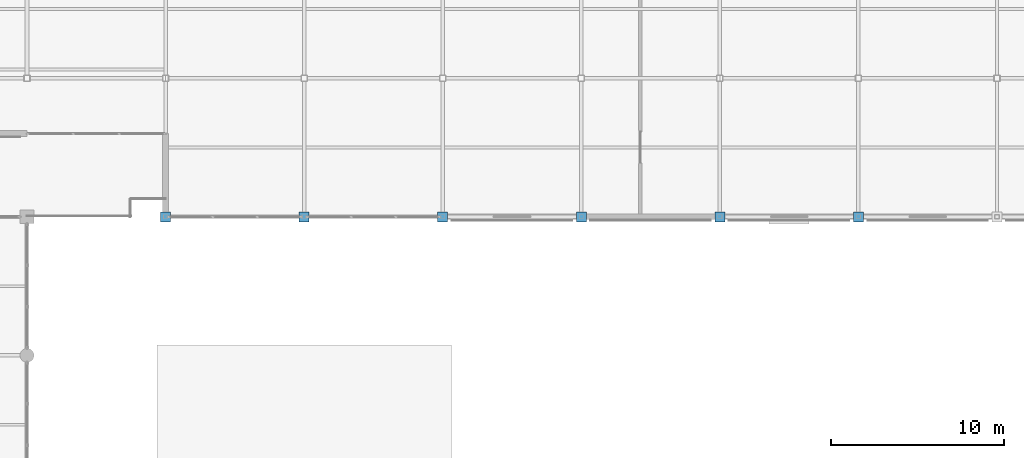
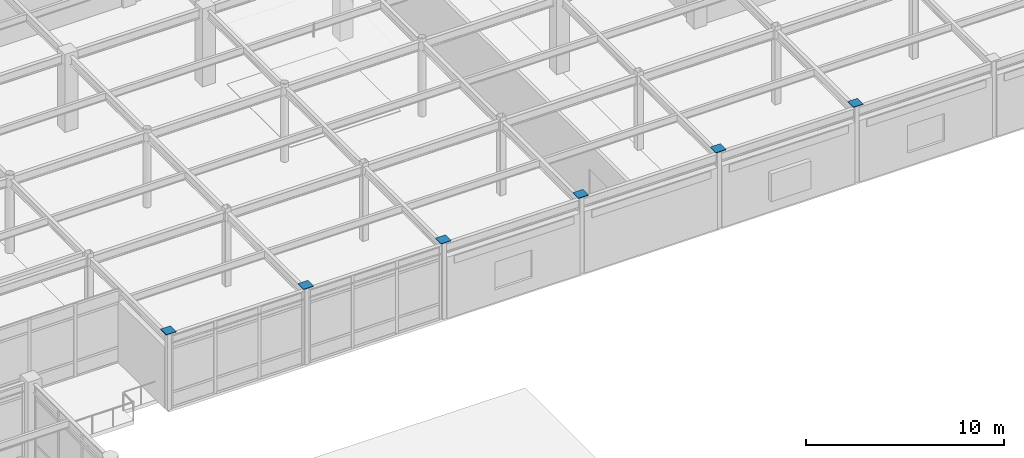
# One storey, part 102 of 117: 6 discrete accessories.
"""IFC4 building model written with IfcOpenShell, lengths in metres."""

from ifc_helpers import new_model, si_unit, direction, frame, origin, origin_2d, place, context, subcontext, project, spatial, rectangle, extrude, material, layer, layer_set, type_object, element, save


model = new_model("IFC4")

# Units and contexts
model_context = context("Model", 3, precision=1e-05, world=origin(), true_north=direction((0.0, 1.0)))
body_context = subcontext(model_context, "Body", "Model", "MODEL_VIEW")
ifc_project = project(units=[si_unit("LENGTHUNIT", "METRE"), si_unit("AREAUNIT", "SQUARE_METRE"), si_unit("VOLUMEUNIT", "CUBIC_METRE"), si_unit("PLANEANGLEUNIT", "RADIAN"), si_unit("MASSUNIT", "GRAM", prefix="KILO")], contexts=[model_context])

# Site, building, storey
site_placement = place(None, origin())
site = spatial("IfcSite", under=ifc_project, at=site_placement, CompositionType="ELEMENT")
building_placement = place(site_placement, origin())
building = spatial("IfcBuilding", under=site, at=building_placement, Name="Solmirada Galleria", CompositionType="ELEMENT")
storey_placement = place(building_placement, frame((0.0, 0.0, 5.60009765625)))
storey = spatial("IfcBuildingStorey", under=building, at=storey_placement, Name="L01", CompositionType="ELEMENT", Elevation=5.60009765625)

# Discrete accessories
ifc_material = material(Name="Steel S355 / ASTM A572 Grade 50", Category="steel")
ifc_layer = layer(ifc_material, 0.031982421875)
ifc_layer_set = layer_set([ifc_layer], Name="Steel S355 / ASTM A572 Grade 50")
discrete_accessory_type = type_object("IfcDiscreteAccessoryType", Name="ACC-COL-CAP", PredefinedType="BRACKET", material=ifc_layer_set)
for number, where, z_axis, x_axis, name in (
    (1, (120.0, 72.0, 4.7939453125), (0.0, 0.0, 1.0), (1.0, 0.0, 0.0), "Hollow column cap plate L01-0970"),
    (2, (128.0, 72.0, 4.7939453125), (0.0, 0.0, 1.0), (1.0, 0.0, 0.0), "Hollow column cap plate L01-1053"),
    (3, (136.0, 72.0, 4.7939453125), (0.0, 0.0, 1.0), (1.0, 0.0, 0.0), "Hollow column cap plate L01-1154"),
    (4, (144.0, 72.0, 4.7939453125), (0.0, 0.0, 1.0), (1.0, 0.0, 0.0), "Hollow column cap plate L01-1240"),
    (5, (152.0, 72.0, 4.7939453125), (0.0, 0.0, 1.0), (1.0, 0.0, 0.0), "Hollow column cap plate L01-1313"),
    (6, (160.0, 72.0, 4.7939453125), (0.0, 0.0, 1.0), (1.0, 0.0, 0.0), "Hollow column cap plate L01-1386"),
):
    element("IfcDiscreteAccessory", number, at=place(storey_placement, frame(where, z_axis=z_axis, x_axis=x_axis)), inside=storey, type_object=discrete_accessory_type, Name=name, PredefinedType="BRACKET", context=body_context, shape_type="SweptSolid", body=[
        extrude(rectangle(XDim=0.580078125, YDim=0.580078125, at=origin_2d()), origin(), (0.0, 0.0, 1.0), 0.035888671875),
    ])

save(model, "model.ifc")
